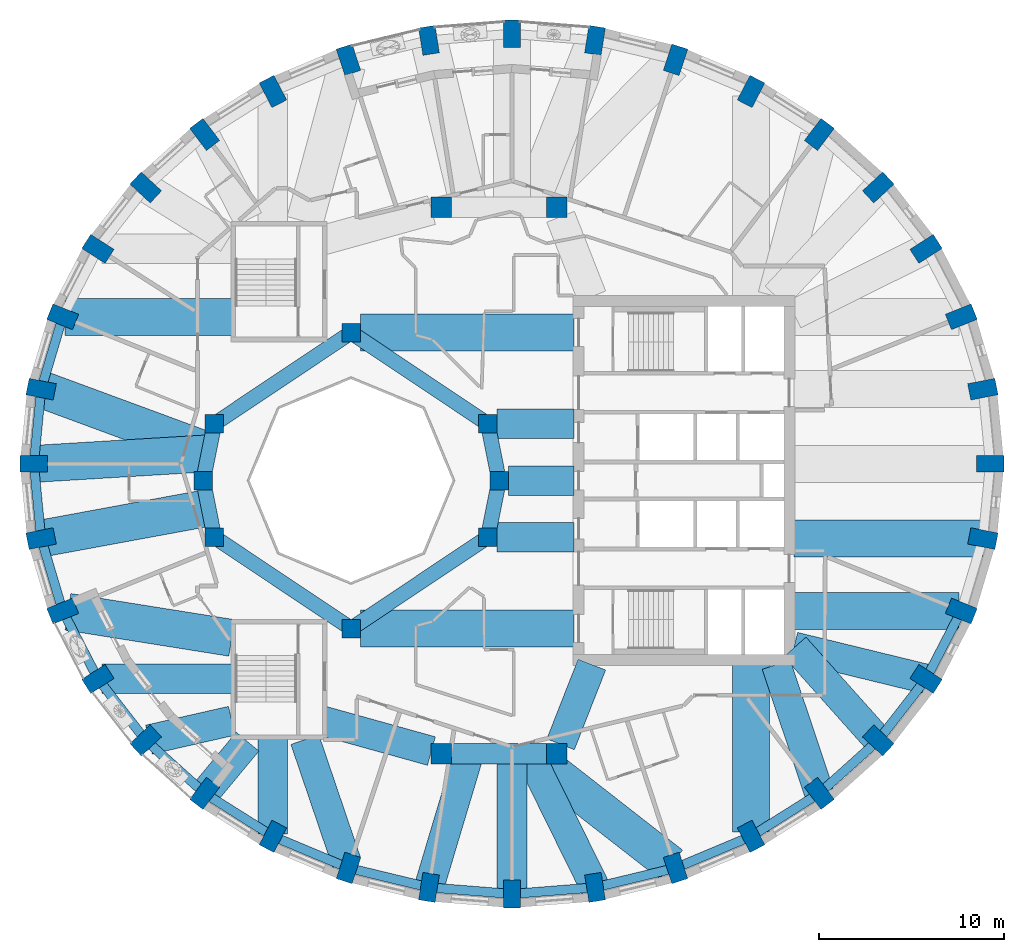
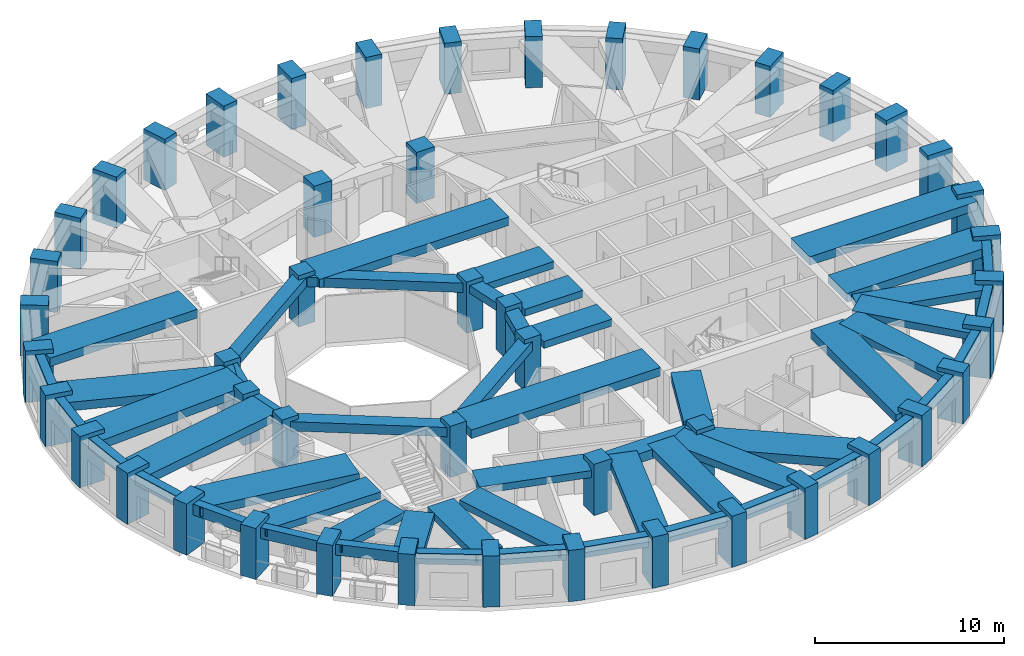
# One storey, part 1 of 12: 54 beams, 48 columns.
"""IFC4 building model written with IfcOpenShell, lengths in metres."""

from ifc_helpers import new_model, si_unit, direction, frame, origin, origin_2d, place, context, subcontext, project, spatial, rectangle, extrude, material, material_profile, profile_set, type_object, element, save


model = new_model("IFC4")

# Units and contexts
model_context = context("Model", 3, precision=1e-05, world=origin(), true_north=direction((0.0, 1.0)))
body_context = subcontext(model_context, "Body", "Model", "MODEL_VIEW")
ifc_project = project(units=[si_unit("LENGTHUNIT", "METRE"), si_unit("AREAUNIT", "SQUARE_METRE"), si_unit("VOLUMEUNIT", "CUBIC_METRE"), si_unit("PLANEANGLEUNIT", "RADIAN"), si_unit("MASSUNIT", "GRAM", prefix="KILO")], contexts=[model_context])

# Site, building, storey
site_placement = place(None, origin())
site = spatial("IfcSite", under=ifc_project, at=site_placement, CompositionType="ELEMENT")
building_placement = place(site_placement, origin())
building = spatial("IfcBuilding", under=site, at=building_placement, Name="Taillehof Tower", CompositionType="ELEMENT")
storey_placement = place(building_placement, frame((0.0, 0.0, 222.199951171875)))
storey = spatial("IfcBuildingStorey", under=building, at=storey_placement, Name="L63", CompositionType="ELEMENT", Elevation=222.199951171875)

# Columns
ifc_material_1 = material(Name="Concrete C50/60", Category="concrete")
ifc_material_profile_1 = material_profile(ifc_material_1, rectangle(XDim=1.0, YDim=1.0, at=origin_2d()), Name="RC 1000x1000")
ifc_profile_set_1 = profile_set([ifc_material_profile_1], Name="Concrete C50/60")
column_type_1 = type_object("IfcColumnType", Name="Atrium ring column C50/60 1000x1000", PredefinedType="COLUMN", material=ifc_profile_set_1)
for number, where, z_axis, x_axis, name in (
    (1, (0.0, 0.0, 0.0), (0.0, 0.0, 1.0), (1.0, 0.0, 0.0), "Column AC01"),
    (2, (-0.60888671875, 3.0615234375, 0.0), (0.0, 0.0, 1.0), (1.0, 0.0, 0.0), "Column AC02"),
    (3, (-8.0, 8.0, 0.0), (0.0, 0.0, 1.0), (1.0, 0.0, 0.0), "Column AC05"),
    (4, (-15.39111328125, 3.0615234375, 0.0), (0.0, 0.0, 1.0), (1.0, 0.0, 0.0), "Column AC08"),
    (5, (-16.0, 0.0, 0.0), (0.0, 0.0, 1.0), (1.0, 0.0, 0.0), "Column AC09"),
    (6, (-15.39111328125, -3.0615234375, 0.0), (0.0, 0.0, 1.0), (1.0, 0.0, 0.0), "Column AC10"),
    (7, (-8.0, -8.0, 0.0), (0.0, 0.0, 1.0), (1.0, 0.0, 0.0), "Column AC13"),
    (8, (-0.60888671875, -3.0615234375, 0.0), (0.0, 0.0, 1.0), (1.0, 0.0, 0.0), "Column AC16"),
):
    element("IfcColumn", number, at=place(storey_placement, frame(where, z_axis=z_axis, x_axis=x_axis)), inside=storey, type_object=column_type_1, Name=name, PredefinedType="COLUMN", context=body_context, shape_type="SweptSolid", body=[
        extrude(rectangle(XDim=1.0, YDim=1.0, at=origin_2d()), origin(), (0.0, 0.0, 1.0), 3.300048828125),
    ])
ifc_material_2 = material(Name="Concrete C50/60", Category="concrete")
ifc_material_profile_2 = material_profile(ifc_material_2, rectangle(XDim=1.10009765625, YDim=1.10009765625, at=origin_2d()), Name="RC 1100x1100")
ifc_profile_set_2 = profile_set([ifc_material_profile_2], Name="Concrete C50/60")
column_type_2 = type_object("IfcColumnType", Name="Mid-ring column C50/60 1100x1100", PredefinedType="COLUMN", material=ifc_profile_set_2)
for number, where, z_axis, x_axis, name in (
    (9, (3.125732421875, 14.772216796875, 0.0), (0.0, 0.0, 1.0), (1.0, 0.0, 0.0), "Column MC05"),
    (10, (-3.125732421875, 14.772216796875, 0.0), (0.0, 0.0, 1.0), (1.0, 0.0, 0.0), "Column MC06"),
    (11, (-3.125732421875, -14.772216796875, 0.0), (0.0, 0.0, 1.0), (1.0, 0.0, 0.0), "Column MC14"),
    (12, (3.125732421875, -14.772216796875, 0.0), (0.0, 0.0, 1.0), (1.0, 0.0, 0.0), "Column MC15"),
):
    element("IfcColumn", number, at=place(storey_placement, frame(where, z_axis=z_axis, x_axis=x_axis)), inside=storey, type_object=column_type_2, Name=name, PredefinedType="COLUMN", context=body_context, shape_type="SweptSolid", body=[
        extrude(rectangle(XDim=1.10009765625, YDim=1.10009765625, at=origin_2d()), origin(), (0.0, 0.0, 1.0), 3.300048828125),
    ])
ifc_material_3 = material(Name="Concrete C60/75", Category="concrete")
ifc_material_profile_3 = material_profile(ifc_material_3, rectangle(XDim=1.5, YDim=0.89990234375, at=origin_2d()), Name="RC 1500x900")
ifc_profile_set_3 = profile_set([ifc_material_profile_3], Name="Concrete C60/75")
column_type_3 = type_object("IfcColumnType", Name="Ring column C60/75 1500x900", PredefinedType="COLUMN", material=ifc_profile_set_3)
for number, where, z_axis, x_axis, name in (
    (13, (26.550048828125, 0.89990234375, 0.0), (0.0, 0.0, 1.0), (1.0, 0.0, 0.0), "Ring column RC01"),
    (14, (26.1572265625, 4.937255859375, 0.0), (0.0, 0.0, 1.0), (0.981433894538, 0.191800705555, 0.0), "Ring column RC02"),
    (15, (24.990966796875, 8.85205078125, 0.0), (0.0, 0.0, 1.0), (0.927385290523, 0.374107635477, 0.0), "Ring column RC03"),
    (16, (23.086669921875, 12.52490234375, 0.0), (0.0, 0.0, 1.0), (0.84231094199, 0.538991908107, 0.0), "Ring column RC04"),
    (17, (20.502197265625, 15.8447265625, 0.0), (0.0, 0.0, 1.0), (0.732270888356, 0.681013469813, 0.0), "Ring column RC05"),
    (18, (17.316162109375, 18.71044921875, 0.0), (0.0, 0.0, 1.0), (0.60360770772, 0.797281465469, 0.0), "Ring column RC06"),
    (19, (13.625, 21.03515625, 0.0), (0.0, 0.0, 1.0), (0.461993199576, 0.886883466722, 0.0), "Ring column RC07"),
    (20, (9.541259765625, 22.747802734375, 0.0), (0.0, 0.0, 1.0), (0.312001306843, 0.950081672557, 0.0), "Ring column RC08"),
    (21, (5.188720703125, 23.796875, 0.0), (0.0, 0.0, 1.0), (0.157116034607, 0.987580149491, 0.0), "Ring column RC09"),
    (22, (0.699951171875, 24.14990234375, 0.0), (0.0, 0.0, 1.0), (0.0, 1.0, 0.0), "Ring column RC10"),
    (23, (-3.788818359375, 23.796875, 0.0), (0.0, 0.0, 1.0), (-0.157116034607, 0.987580149491, 0.0), "Ring column RC11"),
    (24, (-8.14111328125, 22.747802734375, 0.0), (0.0, 0.0, 1.0), (-0.312001306843, 0.950081672557, 0.0), "Ring column RC12"),
    (25, (-12.22509765625, 21.03515625, 0.0), (0.0, 0.0, 1.0), (-0.461993199576, 0.886883466722, 0.0), "Ring column RC13"),
    (26, (-15.916015625, 18.71044921875, 0.0), (0.0, 0.0, 1.0), (-0.60360770772, 0.797281465469, 0.0), "Ring column RC14"),
    (27, (-19.102294921875, 15.8447265625, 0.0), (0.0, 0.0, 1.0), (-0.732270888356, 0.681013469813, 0.0), "Ring column RC15"),
    (28, (-21.686767578125, 12.52490234375, 0.0), (0.0, 0.0, 1.0), (-0.84231094199, 0.538991908107, 0.0), "Ring column RC16"),
    (29, (-23.591064453125, 8.85205078125, 0.0), (0.0, 0.0, 1.0), (-0.927385290523, 0.374107635477, 0.0), "Ring column RC17"),
    (30, (-24.75732421875, 4.937255859375, 0.0), (0.0, 0.0, 1.0), (-0.981433894538, 0.191800705555, 0.0), "Ring column RC18"),
    (31, (-25.14990234375, 0.89990234375, 0.0), (0.0, 0.0, 1.0), (-1.0, 0.0, 0.0), "Ring column RC19"),
    (32, (-24.75732421875, -3.13720703125, 0.0), (0.0, 0.0, 1.0), (-0.981433894538, -0.191800705555, 0.0), "Ring column RC20"),
    (33, (-23.591064453125, -7.052001953125, 0.0), (0.0, 0.0, 1.0), (-0.927385290523, -0.374107635477, 0.0), "Ring column RC21"),
    (34, (-21.686767578125, -10.72509765625, 0.0), (0.0, 0.0, 1.0), (-0.84231094199, -0.538991908107, 0.0), "Ring column RC22"),
    (35, (-19.102294921875, -14.044921875, 0.0), (0.0, 0.0, 1.0), (-0.732270888356, -0.681013469813, 0.0), "Ring column RC23"),
    (36, (-15.916015625, -16.91064453125, 0.0), (0.0, 0.0, 1.0), (-0.60360770772, -0.797281465469, 0.0), "Ring column RC24"),
    (37, (-12.22509765625, -19.235107421875, 0.0), (0.0, 0.0, 1.0), (-0.461993199576, -0.886883466722, 0.0), "Ring column RC25"),
    (38, (-8.14111328125, -20.94775390625, 0.0), (0.0, 0.0, 1.0), (-0.312001306843, -0.950081672557, 0.0), "Ring column RC26"),
    (39, (-3.788818359375, -21.996826171875, 0.0), (0.0, 0.0, 1.0), (-0.157116034607, -0.987580149491, 0.0), "Ring column RC27"),
    (40, (0.699951171875, -22.35009765625, 0.0), (0.0, 0.0, 1.0), (0.0, -1.0, 0.0), "Ring column RC28"),
    (41, (5.188720703125, -21.996826171875, 0.0), (0.0, 0.0, 1.0), (0.157116034607, -0.987580149491, 0.0), "Ring column RC29"),
    (42, (9.541259765625, -20.94775390625, 0.0), (0.0, 0.0, 1.0), (0.312001306843, -0.950081672557, 0.0), "Ring column RC30"),
    (43, (13.625, -19.235107421875, 0.0), (0.0, 0.0, 1.0), (0.461993199576, -0.886883466722, 0.0), "Ring column RC31"),
    (44, (17.316162109375, -16.91064453125, 0.0), (0.0, 0.0, 1.0), (0.60360770772, -0.797281465469, 0.0), "Ring column RC32"),
    (45, (20.502197265625, -14.044921875, 0.0), (0.0, 0.0, 1.0), (0.732270888356, -0.681013469813, 0.0), "Ring column RC33"),
    (46, (23.086669921875, -10.72509765625, 0.0), (0.0, 0.0, 1.0), (0.84231094199, -0.538991908107, 0.0), "Ring column RC34"),
    (47, (24.990966796875, -7.052001953125, 0.0), (0.0, 0.0, 1.0), (0.927385290523, -0.374107635477, 0.0), "Ring column RC35"),
    (48, (26.1572265625, -3.13720703125, 0.0), (0.0, 0.0, 1.0), (0.981433894538, -0.191800705555, 0.0), "Ring column RC36"),
):
    element("IfcColumn", number, at=place(storey_placement, frame(where, z_axis=z_axis, x_axis=x_axis)), inside=storey, type_object=column_type_3, Name=name, PredefinedType="COLUMN", context=body_context, shape_type="SweptSolid", body=[
        extrude(rectangle(XDim=1.5, YDim=0.89990234375, at=origin_2d()), origin(), (0.0, 0.0, 1.0), 3.300048828125),
    ])

# Beams
ifc_material_4 = material(Name="Concrete C50/60", Category="concrete")
ifc_material_profile_4 = material_profile(ifc_material_4, rectangle(XDim=0.800048828125, YDim=0.5, at=origin_2d()), Name="RC 800x500")
ifc_profile_set_4 = profile_set([ifc_material_profile_4], Name="Concrete C50/60")
beam_type_1 = type_object("IfcBeamType", Name="Atrium ring beam C50/60 800x500", PredefinedType="BEAM", material=ifc_profile_set_4)
for number, where, z_axis, x_axis, name in (
    (49, (0.0, 0.0, 2.77001953125), (-0.195063155143, 0.980790683839, 0.0), (-0.980790683839, -0.195063155143, 0.0), "Atrium ring beam AB01"),
    (50, (-15.39111328125, 3.0615234375, 2.77001953125), (-0.195063155143, -0.980790683839, 0.0), (0.980790683839, -0.195063155143, 0.0), "Atrium ring beam AB04"),
    (51, (-16.0, 0.0, 2.77001953125), (0.195063155143, -0.980790683839, 0.0), (0.980790683839, 0.195063155143, 0.0), "Atrium ring beam AB05"),
    (52, (-0.60888671875, -3.0615234375, 2.77001953125), (0.195063155143, 0.980790683839, 0.0), (-0.980790683839, 0.195063155143, 0.0), "Atrium ring beam AB08"),
):
    element("IfcBeam", number, at=place(storey_placement, frame(where, z_axis=z_axis, x_axis=x_axis)), inside=storey, type_object=beam_type_1, Name=name, PredefinedType="BEAM", context=body_context, shape_type="SweptSolid", body=[
        extrude(rectangle(XDim=0.800048828125, YDim=0.5, at=origin_2d()), origin(), (0.0, 0.0, 1.0), 3.12158203125),
    ])
ifc_material_5 = material(Name="Concrete C50/60", Category="concrete")
ifc_material_profile_5 = material_profile(ifc_material_5, rectangle(XDim=0.800048828125, YDim=0.60009765625, at=origin_2d()), Name="RC 800x600")
ifc_profile_set_5 = profile_set([ifc_material_profile_5], Name="Concrete C50/60")
beam_type_2 = type_object("IfcBeamType", Name="Atrium ring beam C50/60 800x600", PredefinedType="BEAM", material=ifc_profile_set_5)
for number, where, z_axis, x_axis, name in (
    (53, (-0.60888671875, 3.0615234375, 2.719970703125), (-0.831475195687, 0.555561876804, 0.0), (-0.555561876804, -0.831475195687, 0.0), "Atrium ring beam AB02"),
    (54, (-8.0, 8.0, 2.719970703125), (-0.831475195687, -0.555561876804, 0.0), (0.555561876804, -0.831475195687, 0.0), "Atrium ring beam AB03"),
    (55, (-15.39111328125, -3.0615234375, 2.719970703125), (0.831475195687, -0.555561876804, 0.0), (0.555561876804, 0.831475195687, 0.0), "Atrium ring beam AB06"),
    (56, (-8.0, -8.0, 2.719970703125), (0.831475195687, 0.555561876804, 0.0), (-0.555561876804, 0.831475195687, 0.0), "Atrium ring beam AB07"),
):
    element("IfcBeam", number, at=place(storey_placement, frame(where, z_axis=z_axis, x_axis=x_axis)), inside=storey, type_object=beam_type_2, Name=name, PredefinedType="BEAM", context=body_context, shape_type="SweptSolid", body=[
        extrude(rectangle(XDim=0.800048828125, YDim=0.60009765625, at=origin_2d()), origin(), (0.0, 0.0, 1.0), 8.88916015625),
    ])
ifc_material_6 = material(Name="Concrete C50/60", Category="concrete")
ifc_material_profile_6 = material_profile(ifc_material_6, rectangle(XDim=1.10009765625, YDim=0.60009765625, at=origin_2d()), Name="RC 1100x600")
ifc_profile_set_6 = profile_set([ifc_material_profile_6], Name="Concrete C50/60")
beam_type_3 = type_object("IfcBeamType", Name="Mid-ring beam C50/60 1100x600", PredefinedType="BEAM", material=ifc_profile_set_6)
beam_1_placement = place(storey_placement, frame((-3.125732421875, -14.772216796875, 2.719970703125), z_axis=(1.0, 0.0, 0.0), x_axis=(0.0, 1.0, 0.0)))
element("IfcBeam", 57, at=beam_1_placement, inside=storey, type_object=beam_type_3, Name="Mid-ring beam MB02", PredefinedType="BEAM", context=body_context, shape_type="SweptSolid", body=[
    extrude(rectangle(XDim=1.10009765625, YDim=0.60009765625, at=origin_2d()), origin(), (0.0, 0.0, 1.0), 6.25146484375),
])
ifc_material_7 = material(Name="Concrete C50/60", Category="concrete")
ifc_material_profile_7 = material_profile(ifc_material_7, rectangle(XDim=1.60009765625, YDim=0.449951171875, at=origin_2d()), Name="RC 1600x450")
ifc_profile_set_7 = profile_set([ifc_material_profile_7], Name="Concrete C50/60")
beam_type_4 = type_object("IfcBeamType", Name="Radial band beam C50/60 1600x450", PredefinedType="BEAM", material=ifc_profile_set_7)
beam_2_placement = place(storey_placement, frame((-21.47021484375, -10.72509765625, 2.795166015625), z_axis=(1.0, 0.0, 0.0), x_axis=(0.0, 1.0, 0.0)))
element("IfcBeam", 58, at=beam_2_placement, inside=storey, type_object=beam_type_4, Name="Radial band beam RB22", PredefinedType="BEAM", context=body_context, shape_type="SweptSolid", body=[
    extrude(rectangle(XDim=1.60009765625, YDim=0.449951171875, at=origin_2d()), origin(), (0.0, 0.0, 1.0), 7.020263671875),
])
beam_3_placement = place(storey_placement, frame((-18.929931640625, -14.005615234375, 2.795166015625), z_axis=(0.975193914537, 0.221352273651, 0.0), x_axis=(-0.221352273651, 0.975193914537, 0.0)))
element("IfcBeam", 59, at=beam_3_placement, inside=storey, type_object=beam_type_4, Name="Radial band beam RB23", PredefinedType="BEAM", context=body_context, shape_type="SweptSolid", body=[
    extrude(rectangle(XDim=1.60009765625, YDim=0.449951171875, at=origin_2d()), origin(), (0.0, 0.0, 1.0), 4.5927734375),
])
beam_4_placement = place(storey_placement, frame((-15.916015625, -16.91064453125, 2.795166015625), z_axis=(0.638722345868, 0.769437304066, 0.0), x_axis=(-0.769437304066, 0.638722345868, 0.0)))
element("IfcBeam", 60, at=beam_4_placement, inside=storey, type_object=beam_type_4, Name="Radial band beam RB24", PredefinedType="BEAM", context=body_context, shape_type="SweptSolid", body=[
    extrude(rectangle(XDim=1.60009765625, YDim=0.449951171875, at=origin_2d()), origin(), (0.0, 0.0, 1.0), 3.6328125),
])
beam_5_placement = place(storey_placement, frame((-12.22509765625, -19.101318359375, 2.795166015625), z_axis=(0.0, 1.0, 0.0), x_axis=(-1.0, 0.0, 0.0)))
element("IfcBeam", 61, at=beam_5_placement, inside=storey, type_object=beam_type_4, Name="Radial band beam RB25", PredefinedType="BEAM", context=body_context, shape_type="SweptSolid", body=[
    extrude(rectangle(XDim=1.60009765625, YDim=0.449951171875, at=origin_2d()), origin(), (0.0, 0.0, 1.0), 5.1513671875),
])
beam_6_placement = place(storey_placement, frame((-8.233642578125, -20.675537109375, 2.795166015625), z_axis=(-0.321475101084, 0.94691803203, 0.0), x_axis=(-0.94691803203, -0.321475101084, 0.0)))
element("IfcBeam", 62, at=beam_6_placement, inside=storey, type_object=beam_type_4, Name="Radial band beam RB26", PredefinedType="BEAM", context=body_context, shape_type="SweptSolid", body=[
    extrude(rectangle(XDim=1.60009765625, YDim=0.449951171875, at=origin_2d()), origin(), (0.0, 0.0, 1.0), 7.042236328125),
])
beam_7_placement = place(storey_placement, frame((-3.788818359375, -21.996826171875, 2.795166015625), z_axis=(0.286825122153, 0.957982958774, 0.0), x_axis=(-0.957982958774, 0.286825122153, 0.0)))
element("IfcBeam", 63, at=beam_7_placement, inside=storey, type_object=beam_type_4, Name="Radial band beam RB27", PredefinedType="BEAM", context=body_context, shape_type="SweptSolid", body=[
    extrude(rectangle(XDim=1.60009765625, YDim=0.449951171875, at=origin_2d()), origin(), (0.0, 0.0, 1.0), 7.54150390625),
])
beam_8_placement = place(storey_placement, frame((0.699951171875, -22.35009765625, 2.795166015625), z_axis=(0.0, 1.0, 0.0), x_axis=(-1.0, 0.0, 0.0)))
element("IfcBeam", 64, at=beam_8_placement, inside=storey, type_object=beam_type_4, Name="Radial band beam RB28", PredefinedType="BEAM", context=body_context, shape_type="SweptSolid", body=[
    extrude(rectangle(XDim=1.60009765625, YDim=0.449951171875, at=origin_2d()), origin(), (0.0, 0.0, 1.0), 7.577880859375),
])
beam_9_placement = place(storey_placement, frame((5.188720703125, -21.996826171875, 2.795166015625), z_axis=(-0.442309181818, 0.896862635903, 0.0), x_axis=(-0.896862635903, -0.442309181818, 0.0)))
element("IfcBeam", 65, at=beam_9_placement, inside=storey, type_object=beam_type_4, Name="Radial band beam RB29", PredefinedType="BEAM", context=body_context, shape_type="SweptSolid", body=[
    extrude(rectangle(XDim=1.60009765625, YDim=0.449951171875, at=origin_2d()), origin(), (0.0, 0.0, 1.0), 8.055419921875),
])
beam_10_placement = place(storey_placement, frame((17.314697265625, -16.906494140625, 2.795166015625), z_axis=(-0.317775276173, 0.948166058164, 0.0), x_axis=(-0.948166058164, -0.317775276173, 0.0)))
element("IfcBeam", 66, at=beam_10_placement, inside=storey, type_object=beam_type_4, Name="Radial band beam RB32", PredefinedType="BEAM", context=body_context, shape_type="SweptSolid", body=[
    extrude(rectangle(XDim=1.60009765625, YDim=0.449951171875, at=origin_2d()), origin(), (0.0, 0.0, 1.0), 7.333984375),
])
beam_11_placement = place(storey_placement, frame((20.502197265625, -14.044921875, 2.795166015625), z_axis=(-0.665845101725, 0.746090008316, 0.0), x_axis=(-0.746090008316, -0.665845101725, 0.0)))
element("IfcBeam", 67, at=beam_11_placement, inside=storey, type_object=beam_type_4, Name="Radial band beam RB33", PredefinedType="BEAM", context=body_context, shape_type="SweptSolid", body=[
    extrude(rectangle(XDim=1.60009765625, YDim=0.449951171875, at=origin_2d()), origin(), (0.0, 0.0, 1.0), 6.766357421875),
])
beam_12_placement = place(storey_placement, frame((23.07568359375, -10.722412109375, 2.795166015625), z_axis=(-0.971629977108, 0.236506210459, 0.0), x_axis=(-0.236506210459, -0.971629977108, 0.0)))
element("IfcBeam", 68, at=beam_12_placement, inside=storey, type_object=beam_type_4, Name="Radial band beam RB34", PredefinedType="BEAM", context=body_context, shape_type="SweptSolid", body=[
    extrude(rectangle(XDim=1.60009765625, YDim=0.449951171875, at=origin_2d()), origin(), (0.0, 0.0, 1.0), 7.332275390625),
])
beam_13_placement = place(storey_placement, frame((0.5, 0.0, 2.795166015625), z_axis=(1.0, 0.0, 0.0), x_axis=(0.0, 1.0, 0.0)))
element("IfcBeam", 69, at=beam_13_placement, inside=storey, type_object=beam_type_4, Name="Inner band beam IB101", PredefinedType="BEAM", context=body_context, shape_type="SweptSolid", body=[
    extrude(rectangle(XDim=1.60009765625, YDim=0.449951171875, at=origin_2d()), origin(), (0.0, 0.0, 1.0), 3.550048828125),
])
for number, where, z_axis, x_axis, name in (
    (70, (-0.10888671875, 3.0615234375, 2.795166015625), (1.0, 0.0, 0.0), (0.0, 1.0, 0.0), "Inner band beam IB102"),
    (71, (-0.10888671875, -3.0615234375, 2.795166015625), (1.0, 0.0, 0.0), (0.0, 1.0, 0.0), "Inner band beam IB116"),
):
    element("IfcBeam", number, at=place(storey_placement, frame(where, z_axis=z_axis, x_axis=x_axis)), inside=storey, type_object=beam_type_4, Name=name, PredefinedType="BEAM", context=body_context, shape_type="SweptSolid", body=[
        extrude(rectangle(XDim=1.60009765625, YDim=0.449951171875, at=origin_2d()), origin(), (0.0, 0.0, 1.0), 4.158935546875),
    ])
beam_14_placement = place(storey_placement, frame((-3.655517578125, -14.624755859375, 2.795166015625), z_axis=(-0.963459369536, 0.267854518821, 0.0), x_axis=(-0.267854518821, -0.963459369536, 0.0)))
element("IfcBeam", 72, at=beam_14_placement, inside=storey, type_object=beam_type_4, Name="Inner band beam IB214", PredefinedType="BEAM", context=body_context, shape_type="SweptSolid", body=[
    extrude(rectangle(XDim=1.60009765625, YDim=0.449951171875, at=origin_2d()), origin(), (0.0, 0.0, 1.0), 6.096923828125),
])
beam_15_placement = place(storey_placement, frame((3.32666015625, -14.26025390625, 2.795166015625), z_axis=(0.365588707223, 0.930776502255, 0.0), x_axis=(-0.930776502255, 0.365588707223, 0.0)))
element("IfcBeam", 73, at=beam_15_placement, inside=storey, type_object=beam_type_4, Name="Inner band beam IB215", PredefinedType="BEAM", context=body_context, shape_type="SweptSolid", body=[
    extrude(rectangle(XDim=1.60009765625, YDim=0.449951171875, at=origin_2d()), origin(), (0.0, 0.0, 1.0), 4.627197265625),
])
ifc_material_8 = material(Name="Concrete C50/60", Category="concrete")
ifc_material_profile_8 = material_profile(ifc_material_8, rectangle(XDim=2.0, YDim=0.550048828125, at=origin_2d()), Name="RC 2000x550")
ifc_profile_set_8 = profile_set([ifc_material_profile_8], Name="Concrete C50/60")
beam_type_5 = type_object("IfcBeamType", Name="Radial band beam C50/60 2000x550", PredefinedType="BEAM", material=ifc_profile_set_8)
beam_16_placement = place(storey_placement, frame((-23.4560546875, 8.85205078125, 2.7451171875), z_axis=(1.0, 0.0, 0.0), x_axis=(0.0, 1.0, 0.0)))
element("IfcBeam", 74, at=beam_16_placement, inside=storey, type_object=beam_type_5, Name="Radial band beam RB17", PredefinedType="BEAM", context=body_context, shape_type="SweptSolid", body=[
    extrude(rectangle(XDim=2.0, YDim=0.550048828125, at=origin_2d()), origin(), (0.0, 0.0, 1.0), 9.006103515625),
])
beam_17_placement = place(storey_placement, frame((-24.75732421875, 4.937255859375, 2.7451171875), z_axis=(0.938209870924, -0.346066811615, 0.0), x_axis=(0.346066811615, 0.938209870924, 0.0)))
element("IfcBeam", 75, at=beam_17_placement, inside=storey, type_object=beam_type_5, Name="Radial band beam RB18", PredefinedType="BEAM", context=body_context, shape_type="SweptSolid", body=[
    extrude(rectangle(XDim=2.0, YDim=0.550048828125, at=origin_2d()), origin(), (0.0, 0.0, 1.0), 9.67138671875),
])
beam_18_placement = place(storey_placement, frame((-25.14990234375, 0.89990234375, 2.7451171875), z_axis=(0.998174819199, 0.060390647592, 0.0), x_axis=(-0.060390647592, 0.998174819199, 0.0)))
element("IfcBeam", 76, at=beam_18_placement, inside=storey, type_object=beam_type_5, Name="Radial band beam RB19", PredefinedType="BEAM", context=body_context, shape_type="SweptSolid", body=[
    extrude(rectangle(XDim=2.0, YDim=0.550048828125, at=origin_2d()), origin(), (0.0, 0.0, 1.0), 9.4599609375),
])
beam_19_placement = place(storey_placement, frame((-24.75732421875, -3.13720703125, 2.7451171875), z_axis=(0.983474452744, 0.181046957445, 0.0), x_axis=(-0.181046957445, 0.983474452744, 0.0)))
element("IfcBeam", 77, at=beam_19_placement, inside=storey, type_object=beam_type_5, Name="Radial band beam RB20", PredefinedType="BEAM", context=body_context, shape_type="SweptSolid", body=[
    extrude(rectangle(XDim=2.0, YDim=0.550048828125, at=origin_2d()), origin(), (0.0, 0.0, 1.0), 9.2021484375),
])
beam_20_placement = place(storey_placement, frame((-23.3076171875, -7.09716796875, 2.7451171875), z_axis=(0.987552836313, -0.157287620272, 0.0), x_axis=(0.157287620272, 0.987552836313, 0.0)))
element("IfcBeam", 78, at=beam_20_placement, inside=storey, type_object=beam_type_5, Name="Radial band beam RB21", PredefinedType="BEAM", context=body_context, shape_type="SweptSolid", body=[
    extrude(rectangle(XDim=2.0, YDim=0.550048828125, at=origin_2d()), origin(), (0.0, 0.0, 1.0), 8.968505859375),
])
beam_21_placement = place(storey_placement, frame((9.3076171875, -20.765625, 2.7451171875), z_axis=(-0.788425359087, 0.615130435882, 0.0), x_axis=(-0.615130435882, -0.788425359087, 0.0)))
element("IfcBeam", 79, at=beam_21_placement, inside=storey, type_object=beam_type_5, Name="Radial band beam RB30", PredefinedType="BEAM", context=body_context, shape_type="SweptSolid", body=[
    extrude(rectangle(XDim=2.0, YDim=0.550048828125, at=origin_2d()), origin(), (0.0, 0.0, 1.0), 9.35595703125),
])
beam_22_placement = place(storey_placement, frame((13.625, -18.99755859375, 2.7451171875), z_axis=(0.0, 1.0, 0.0), x_axis=(-1.0, 0.0, 0.0)))
element("IfcBeam", 80, at=beam_22_placement, inside=storey, type_object=beam_type_5, Name="Radial band beam RB31", PredefinedType="BEAM", context=body_context, shape_type="SweptSolid", body=[
    extrude(rectangle(XDim=2.0, YDim=0.550048828125, at=origin_2d()), origin(), (0.0, 0.0, 1.0), 9.047607421875),
])
beam_23_placement = place(storey_placement, frame((24.856201171875, -7.052001953125, 2.7451171875), z_axis=(-1.0, 0.0, 0.0), x_axis=(0.0, -1.0, 0.0)))
element("IfcBeam", 81, at=beam_23_placement, inside=storey, type_object=beam_type_5, Name="Radial band beam RB35", PredefinedType="BEAM", context=body_context, shape_type="SweptSolid", body=[
    extrude(rectangle(XDim=2.0, YDim=0.550048828125, at=origin_2d()), origin(), (0.0, 0.0, 1.0), 8.90625),
])
beam_24_placement = place(storey_placement, frame((26.1572265625, -3.13720703125, 2.7451171875), z_axis=(-1.0, 0.0, 0.0), x_axis=(0.0, -1.0, 0.0)))
element("IfcBeam", 82, at=beam_24_placement, inside=storey, type_object=beam_type_5, Name="Radial band beam RB36", PredefinedType="BEAM", context=body_context, shape_type="SweptSolid", body=[
    extrude(rectangle(XDim=2.0, YDim=0.550048828125, at=origin_2d()), origin(), (0.0, 0.0, 1.0), 10.207275390625),
])
for number, where, z_axis, x_axis, name in (
    (83, (-7.5, 8.0, 2.7451171875), (1.0, 0.0, 0.0), (0.0, 1.0, 0.0), "Inner band beam IB105"),
    (84, (-7.5, -8.0, 2.7451171875), (1.0, 0.0, 0.0), (0.0, 1.0, 0.0), "Inner band beam IB113"),
):
    element("IfcBeam", number, at=place(storey_placement, frame(where, z_axis=z_axis, x_axis=x_axis)), inside=storey, type_object=beam_type_5, Name=name, PredefinedType="BEAM", context=body_context, shape_type="SweptSolid", body=[
        extrude(rectangle(XDim=2.0, YDim=0.550048828125, at=origin_2d()), origin(), (0.0, 0.0, 1.0), 11.550048828125),
    ])
ifc_material_9 = material(Name="Concrete C50/60", Category="concrete")
ifc_material_profile_9 = material_profile(ifc_material_9, rectangle(XDim=0.5, YDim=0.699951171875, at=origin_2d()), Name="RC 500x700")
ifc_profile_set_9 = profile_set([ifc_material_profile_9], Name="Concrete C50/60")
beam_type_6 = type_object("IfcBeamType", Name="Spandrel beam C50/60 500x700", PredefinedType="SPANDREL", material=ifc_profile_set_9)
beam_25_placement = place(storey_placement, frame((-23.591064453125, 8.85205078125, 2.670166015625), z_axis=(-0.285510458946, -0.9583755933, 0.0), x_axis=(0.9583755933, -0.285510458946, 0.0)))
element("IfcBeam", 85, at=beam_25_placement, inside=storey, type_object=beam_type_6, Name="Spandrel beam SB17", PredefinedType="SPANDREL", context=body_context, shape_type="SweptSolid", body=[
    extrude(rectangle(XDim=0.5, YDim=0.699951171875, at=origin_2d()), origin(), (0.0, 0.0, 1.0), 4.084716796875),
])
beam_26_placement = place(storey_placement, frame((-24.75732421875, 4.937255859375, 2.670166015625), z_axis=(-0.096780051712, -0.995305793006, 0.0), x_axis=(0.995305793006, -0.096780051712, 0.0)))
element("IfcBeam", 86, at=beam_26_placement, inside=storey, type_object=beam_type_6, Name="Spandrel beam SB18", PredefinedType="SPANDREL", context=body_context, shape_type="SweptSolid", body=[
    extrude(rectangle(XDim=0.5, YDim=0.699951171875, at=origin_2d()), origin(), (0.0, 0.0, 1.0), 4.056396484375),
])
beam_27_placement = place(storey_placement, frame((-25.14990234375, 0.89990234375, 2.670166015625), z_axis=(0.096785849576, -0.995305229225, 0.0), x_axis=(0.995305229225, 0.096785849576, 0.0)))
element("IfcBeam", 87, at=beam_27_placement, inside=storey, type_object=beam_type_6, Name="Spandrel beam SB19", PredefinedType="SPANDREL", context=body_context, shape_type="SweptSolid", body=[
    extrude(rectangle(XDim=0.5, YDim=0.699951171875, at=origin_2d()), origin(), (0.0, 0.0, 1.0), 4.05615234375),
])
beam_28_placement = place(storey_placement, frame((-24.75732421875, -3.13720703125, 2.670166015625), z_axis=(0.285510458946, -0.9583755933, 0.0), x_axis=(0.9583755933, 0.285510458946, 0.0)))
element("IfcBeam", 88, at=beam_28_placement, inside=storey, type_object=beam_type_6, Name="Spandrel beam SB20", PredefinedType="SPANDREL", context=body_context, shape_type="SweptSolid", body=[
    extrude(rectangle(XDim=0.5, YDim=0.699951171875, at=origin_2d()), origin(), (0.0, 0.0, 1.0), 4.084716796875),
])
beam_29_placement = place(storey_placement, frame((-23.591064453125, -7.052001953125, 2.670166015625), z_axis=(0.460265491458, -0.887781322947, 0.0), x_axis=(0.887781322947, 0.460265491458, 0.0)))
element("IfcBeam", 89, at=beam_29_placement, inside=storey, type_object=beam_type_6, Name="Spandrel beam SB21", PredefinedType="SPANDREL", context=body_context, shape_type="SweptSolid", body=[
    extrude(rectangle(XDim=0.5, YDim=0.699951171875, at=origin_2d()), origin(), (0.0, 0.0, 1.0), 4.137451171875),
])
beam_30_placement = place(storey_placement, frame((-21.686767578125, -10.72509765625, 2.670166015625), z_axis=(0.614294081938, -0.789077170432, 0.0), x_axis=(0.789077170432, 0.614294081938, 0.0)))
element("IfcBeam", 90, at=beam_30_placement, inside=storey, type_object=beam_type_6, Name="Spandrel beam SB22", PredefinedType="SPANDREL", context=body_context, shape_type="SweptSolid", body=[
    extrude(rectangle(XDim=0.5, YDim=0.699951171875, at=origin_2d()), origin(), (0.0, 0.0, 1.0), 4.207275390625),
])
beam_31_placement = place(storey_placement, frame((-19.102294921875, -14.044921875, 2.670166015625), z_axis=(0.743517893617, -0.668716039789, 0.0), x_axis=(0.668716039789, 0.743517893617, 0.0)))
element("IfcBeam", 91, at=beam_31_placement, inside=storey, type_object=beam_type_6, Name="Spandrel beam SB23", PredefinedType="SPANDREL", context=body_context, shape_type="SweptSolid", body=[
    extrude(rectangle(XDim=0.5, YDim=0.699951171875, at=origin_2d()), origin(), (0.0, 0.0, 1.0), 4.285400390625),
])
beam_32_placement = place(storey_placement, frame((-15.916015625, -16.91064453125, 2.670166015625), z_axis=(0.846175819179, -0.532903821564, 0.0), x_axis=(0.532903821564, 0.846175819179, 0.0)))
element("IfcBeam", 92, at=beam_32_placement, inside=storey, type_object=beam_type_6, Name="Spandrel beam SB24", PredefinedType="SPANDREL", context=body_context, shape_type="SweptSolid", body=[
    extrude(rectangle(XDim=0.5, YDim=0.699951171875, at=origin_2d()), origin(), (0.0, 0.0, 1.0), 4.36181640625),
])
beam_33_placement = place(storey_placement, frame((-12.22509765625, -19.235107421875, 2.670166015625), z_axis=(0.922193747603, -0.386728188632, 0.0), x_axis=(0.386728188632, 0.922193747603, 0.0)))
element("IfcBeam", 93, at=beam_33_placement, inside=storey, type_object=beam_type_6, Name="Spandrel beam SB25", PredefinedType="SPANDREL", context=body_context, shape_type="SweptSolid", body=[
    extrude(rectangle(XDim=0.5, YDim=0.699951171875, at=origin_2d()), origin(), (0.0, 0.0, 1.0), 4.428466796875),
])
beam_34_placement = place(storey_placement, frame((-8.14111328125, -20.94775390625, 2.670166015625), z_axis=(0.972157646478, -0.234327784087, 0.0), x_axis=(0.234327784087, 0.972157646478, 0.0)))
element("IfcBeam", 94, at=beam_34_placement, inside=storey, type_object=beam_type_6, Name="Spandrel beam SB26", PredefinedType="SPANDREL", context=body_context, shape_type="SweptSolid", body=[
    extrude(rectangle(XDim=0.5, YDim=0.699951171875, at=origin_2d()), origin(), (0.0, 0.0, 1.0), 4.47705078125),
])
for number, where, z_axis, x_axis, name in (
    (95, (-3.788818359375, -21.996826171875, 2.670166015625), (0.996917374369, -0.078458579393, 0.0), (0.078458579393, 0.996917374369, 0.0), "Spandrel beam SB27"),
    (96, (0.699951171875, -22.35009765625, 2.670166015625), (0.996917374369, 0.078458579393, 0.0), (-0.078458579393, 0.996917374369, 0.0), "Spandrel beam SB28"),
):
    element("IfcBeam", number, at=place(storey_placement, frame(where, z_axis=z_axis, x_axis=x_axis)), inside=storey, type_object=beam_type_6, Name=name, PredefinedType="SPANDREL", context=body_context, shape_type="SweptSolid", body=[
        extrude(rectangle(XDim=0.5, YDim=0.699951171875, at=origin_2d()), origin(), (0.0, 0.0, 1.0), 4.502685546875),
    ])
beam_35_placement = place(storey_placement, frame((5.188720703125, -21.996826171875, 2.670166015625), z_axis=(0.972160640613, 0.234315361943, 0.0), x_axis=(-0.234315361943, 0.972160640613, 0.0)))
element("IfcBeam", 97, at=beam_35_placement, inside=storey, type_object=beam_type_6, Name="Spandrel beam SB29", PredefinedType="SPANDREL", context=body_context, shape_type="SweptSolid", body=[
    extrude(rectangle(XDim=0.5, YDim=0.699951171875, at=origin_2d()), origin(), (0.0, 0.0, 1.0), 4.477294921875),
])
beam_36_placement = place(storey_placement, frame((9.541259765625, -20.94775390625, 2.670166015625), z_axis=(0.92218550199, 0.386747850569, 0.0), x_axis=(-0.386747850569, 0.92218550199, 0.0)))
element("IfcBeam", 98, at=beam_36_placement, inside=storey, type_object=beam_type_6, Name="Spandrel beam SB30", PredefinedType="SPANDREL", context=body_context, shape_type="SweptSolid", body=[
    extrude(rectangle(XDim=0.5, YDim=0.699951171875, at=origin_2d()), origin(), (0.0, 0.0, 1.0), 4.42822265625),
])
beam_37_placement = place(storey_placement, frame((13.625, -19.235107421875, 2.670166015625), z_axis=(0.846191713174, 0.532878583314, 0.0), x_axis=(-0.532878583314, 0.846191713174, 0.0)))
element("IfcBeam", 99, at=beam_37_placement, inside=storey, type_object=beam_type_6, Name="Spandrel beam SB31", PredefinedType="SPANDREL", context=body_context, shape_type="SweptSolid", body=[
    extrude(rectangle(XDim=0.5, YDim=0.699951171875, at=origin_2d()), origin(), (0.0, 0.0, 1.0), 4.362060546875),
])
beam_38_placement = place(storey_placement, frame((17.316162109375, -16.91064453125, 2.670166015625), z_axis=(0.743492416006, 0.668744366213, 0.0), x_axis=(-0.668744366213, 0.743492416006, 0.0)))
element("IfcBeam", 100, at=beam_38_placement, inside=storey, type_object=beam_type_6, Name="Spandrel beam SB32", PredefinedType="SPANDREL", context=body_context, shape_type="SweptSolid", body=[
    extrude(rectangle(XDim=0.5, YDim=0.699951171875, at=origin_2d()), origin(), (0.0, 0.0, 1.0), 4.28515625),
])
beam_39_placement = place(storey_placement, frame((20.502197265625, -14.044921875, 2.670166015625), z_axis=(0.614294081938, 0.789077170432, 0.0), x_axis=(-0.789077170432, 0.614294081938, 0.0)))
element("IfcBeam", 101, at=beam_39_placement, inside=storey, type_object=beam_type_6, Name="Spandrel beam SB33", PredefinedType="SPANDREL", context=body_context, shape_type="SweptSolid", body=[
    extrude(rectangle(XDim=0.5, YDim=0.699951171875, at=origin_2d()), origin(), (0.0, 0.0, 1.0), 4.207275390625),
])
beam_40_placement = place(storey_placement, frame((23.086669921875, -10.72509765625, 2.670166015625), z_axis=(0.460265491458, 0.887781322947, 0.0), x_axis=(-0.887781322947, 0.460265491458, 0.0)))
element("IfcBeam", 102, at=beam_40_placement, inside=storey, type_object=beam_type_6, Name="Spandrel beam SB34", PredefinedType="SPANDREL", context=body_context, shape_type="SweptSolid", body=[
    extrude(rectangle(XDim=0.5, YDim=0.699951171875, at=origin_2d()), origin(), (0.0, 0.0, 1.0), 4.137451171875),
])

save(model, "model.ifc")
